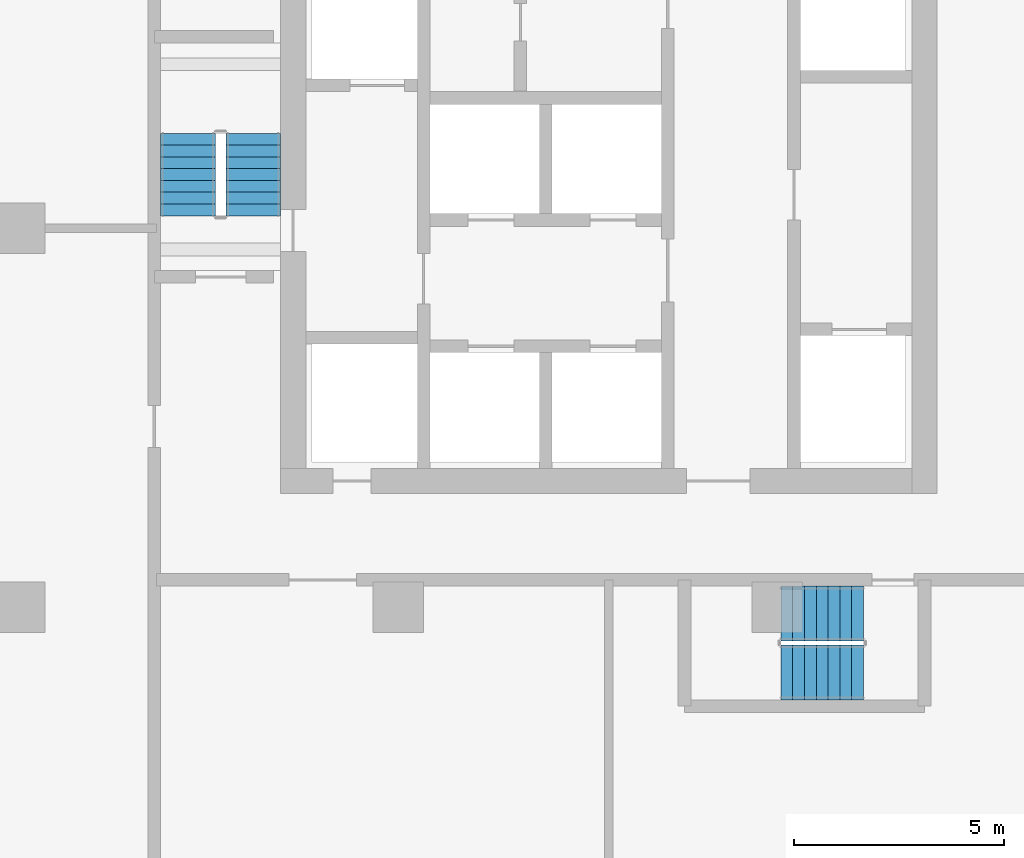
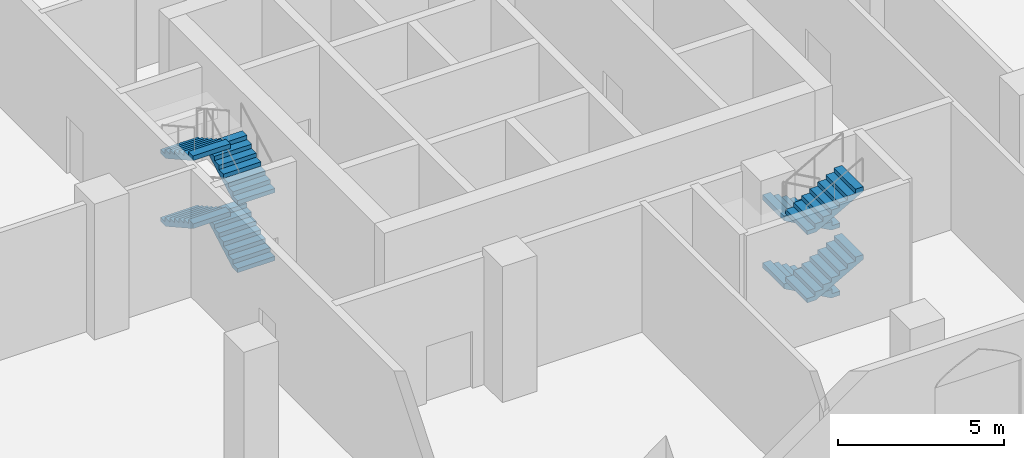
# One storey, part 18 of 31: 8 stair flights, 2 elements without a shape of their own.
"""IFC4 building model written with IfcOpenShell, lengths in metres."""

from ifc_helpers import new_model, si_unit, direction, frame, origin, place, context, subcontext, project, spatial, triangles, source, transform, mapped, material, type_object, element, aggregate, save


model = new_model("IFC4")

# Units and contexts
model_context = context("Model", 3, precision=1e-05, world=origin(), true_north=direction((0.0, 1.0)))
body_context = subcontext(model_context, "Body", "Model", "MODEL_VIEW")
ifc_project = project(units=[si_unit("LENGTHUNIT", "METRE"), si_unit("AREAUNIT", "SQUARE_METRE"), si_unit("VOLUMEUNIT", "CUBIC_METRE"), si_unit("PLANEANGLEUNIT", "RADIAN"), si_unit("MASSUNIT", "GRAM", prefix="KILO")], contexts=[model_context])

# Site, building, storey
site_placement = place(None, origin())
site = spatial("IfcSite", under=ifc_project, at=site_placement, CompositionType="ELEMENT")
building_placement = place(site_placement, origin())
building = spatial("IfcBuilding", under=site, at=building_placement, Name="Ogive Portal Towers", CompositionType="ELEMENT")
storey_placement = place(building_placement, frame((0.0, 0.0, 13.5)))
storey = spatial("IfcBuildingStorey", under=building, at=storey_placement, Name="L02", CompositionType="ELEMENT", Elevation=13.5)

# Stair, stair flights
ifc_material = material(Name="Concrete C40/50", Category="concrete")
stair_type = type_object("IfcStairType", Name="INT-STAIR", PredefinedType="HALF_TURN_STAIR", material=ifc_material)
stair_1_placement = place(storey_placement, origin())
stair_1 = element("IfcStair", 1, at=stair_1_placement, inside=storey, type_object=stair_type, Name="L02 Exit Stair ST-B1", PredefinedType="HALF_TURN_STAIR")
stair_flight_type = type_object("IfcStairFlightType", Name="INT-FLIGHT", PredefinedType="STRAIGHT", material=ifc_material)
shared_shape = source(origin(), body_context, "Body", "Tessellation", [
    triangles([(0.0, -0.650146484375, 0.0), (0.0, -0.376220703125, 0.0), (0.0, -0.192626953125, 0.0), (0.0, -0.081298828125, 0.0), (0.0, -0.024169921875, 0.0), (0.0, -0.003173828125, 0.0), (0.0, 0.0, 0.0), (0.0, 0.0029296875, 0.0), (0.0, 0.02392578125, 0.0), (0.0, 0.0810546875, 0.0), (0.0, 0.1923828125, 0.0), (0.0, 0.3759765625, 0.0), (0.0, 0.64990234375, 0.0), (0.0, -0.650146484375, 0.15625), (0.0, -0.376220703125, 0.15625), (0.0, -0.192626953125, 0.15625), (0.0, -0.081298828125, 0.15625), (0.0, -0.024169921875, 0.15625), (0.0, -0.003173828125, 0.15625), (0.0, 0.0, 0.15625), (0.0, 0.0029296875, 0.15625), (0.0, 0.02392578125, 0.15625), (0.0, 0.0810546875, 0.15625), (0.0, 0.1923828125, 0.15625), (0.0, 0.3759765625, 0.15625), (0.0, 0.64990234375, 0.15625), (0.280029296875, -0.650146484375, 0.15625), (0.280029296875, -0.376220703125, 0.15625), (0.280029296875, -0.192626953125, 0.15625), (0.280029296875, -0.081298828125, 0.15625), (0.280029296875, -0.024169921875, 0.15625), (0.280029296875, -0.003173828125, 0.15625), (0.280029296875, 0.0, 0.15625), (0.280029296875, 0.0029296875, 0.15625), (0.280029296875, 0.02392578125, 0.15625), (0.280029296875, 0.0810546875, 0.15625), (0.280029296875, 0.1923828125, 0.15625), (0.280029296875, 0.3759765625, 0.15625), (0.280029296875, 0.64990234375, 0.15625), (0.280029296875, -0.650146484375, 0.3125), (0.280029296875, -0.376220703125, 0.3125), (0.280029296875, -0.192626953125, 0.3125), (0.280029296875, -0.081298828125, 0.3125), (0.280029296875, -0.024169921875, 0.3125), (0.280029296875, -0.003173828125, 0.3125), (0.280029296875, 0.0, 0.3125), (0.280029296875, 0.0029296875, 0.3125), (0.280029296875, 0.02392578125, 0.3125), (0.280029296875, 0.0810546875, 0.3125), (0.280029296875, 0.1923828125, 0.3125), (0.280029296875, 0.3759765625, 0.3125), (0.280029296875, 0.64990234375, 0.3125), (0.56005859375, -0.650146484375, 0.3125), (0.56005859375, -0.376220703125, 0.3125), (0.56005859375, -0.192626953125, 0.3125), (0.56005859375, -0.081298828125, 0.3125), (0.56005859375, -0.024169921875, 0.3125), (0.56005859375, -0.003173828125, 0.3125), (0.56005859375, 0.0, 0.3125), (0.56005859375, 0.0029296875, 0.3125), (0.56005859375, 0.02392578125, 0.3125), (0.56005859375, 0.0810546875, 0.3125), (0.56005859375, 0.1923828125, 0.3125), (0.56005859375, 0.3759765625, 0.3125), (0.56005859375, 0.64990234375, 0.3125), (0.56005859375, -0.650146484375, 0.46875), (0.56005859375, -0.376220703125, 0.46875), (0.56005859375, -0.192626953125, 0.46875), (0.56005859375, -0.081298828125, 0.46875), (0.56005859375, -0.024169921875, 0.46875), (0.56005859375, -0.003173828125, 0.46875), (0.56005859375, 0.0, 0.46875), (0.56005859375, 0.0029296875, 0.46875), (0.56005859375, 0.02392578125, 0.46875), (0.56005859375, 0.0810546875, 0.46875), (0.56005859375, 0.1923828125, 0.46875), (0.56005859375, 0.3759765625, 0.46875), (0.56005859375, 0.64990234375, 0.46875), (0.840087890625, -0.650146484375, 0.46875), (0.840087890625, -0.376220703125, 0.46875), (0.840087890625, -0.192626953125, 0.46875), (0.840087890625, -0.081298828125, 0.46875), (0.840087890625, -0.024169921875, 0.46875), (0.840087890625, -0.003173828125, 0.46875), (0.840087890625, 0.0, 0.46875), (0.840087890625, 0.0029296875, 0.46875), (0.840087890625, 0.02392578125, 0.46875), (0.840087890625, 0.0810546875, 0.46875), (0.840087890625, 0.1923828125, 0.46875), (0.840087890625, 0.3759765625, 0.46875), (0.840087890625, 0.64990234375, 0.46875), (0.840087890625, -0.650146484375, 0.625), (0.840087890625, -0.376220703125, 0.625), (0.840087890625, -0.192626953125, 0.625), (0.840087890625, -0.081298828125, 0.625), (0.840087890625, -0.024169921875, 0.625), (0.840087890625, -0.003173828125, 0.625), (0.840087890625, 0.0, 0.625), (0.840087890625, 0.0029296875, 0.625), (0.840087890625, 0.02392578125, 0.625), (0.840087890625, 0.0810546875, 0.625), (0.840087890625, 0.1923828125, 0.625), (0.840087890625, 0.3759765625, 0.625), (0.840087890625, 0.64990234375, 0.625), (1.1201171875, -0.650146484375, 0.625), (1.1201171875, -0.376220703125, 0.625), (1.1201171875, -0.192626953125, 0.625), (1.1201171875, -0.081298828125, 0.625), (1.1201171875, -0.024169921875, 0.625), (1.1201171875, -0.003173828125, 0.625), (1.1201171875, 0.0, 0.625), (1.1201171875, 0.0029296875, 0.625), (1.1201171875, 0.02392578125, 0.625), (1.1201171875, 0.0810546875, 0.625), (1.1201171875, 0.1923828125, 0.625), (1.1201171875, 0.3759765625, 0.625), (1.1201171875, 0.64990234375, 0.625), (1.1201171875, -0.650146484375, 0.78125), (1.1201171875, -0.376220703125, 0.78125), (1.1201171875, -0.192626953125, 0.78125), (1.1201171875, -0.081298828125, 0.78125), (1.1201171875, -0.024169921875, 0.78125), (1.1201171875, -0.003173828125, 0.78125), (1.1201171875, 0.0, 0.78125), (1.1201171875, 0.0029296875, 0.78125), (1.1201171875, 0.02392578125, 0.78125), (1.1201171875, 0.0810546875, 0.78125), (1.1201171875, 0.1923828125, 0.78125), (1.1201171875, 0.3759765625, 0.78125), (1.1201171875, 0.64990234375, 0.78125), (1.39990234375, -0.650146484375, 0.78125), (1.39990234375, -0.376220703125, 0.78125), (1.39990234375, -0.192626953125, 0.78125), (1.39990234375, -0.081298828125, 0.78125), (1.39990234375, -0.024169921875, 0.78125), (1.39990234375, -0.003173828125, 0.78125), (1.39990234375, 0.0, 0.78125), (1.39990234375, 0.0029296875, 0.78125), (1.39990234375, 0.02392578125, 0.78125), (1.39990234375, 0.0810546875, 0.78125), (1.39990234375, 0.1923828125, 0.78125), (1.39990234375, 0.3759765625, 0.78125), (1.39990234375, 0.64990234375, 0.78125), (1.39990234375, -0.650146484375, 0.9375), (1.39990234375, -0.376220703125, 0.9375), (1.39990234375, -0.192626953125, 0.9375), (1.39990234375, -0.081298828125, 0.9375), (1.39990234375, -0.024169921875, 0.9375), (1.39990234375, -0.003173828125, 0.9375), (1.39990234375, 0.0, 0.9375), (1.39990234375, 0.0029296875, 0.9375), (1.39990234375, 0.02392578125, 0.9375), (1.39990234375, 0.0810546875, 0.9375), (1.39990234375, 0.1923828125, 0.9375), (1.39990234375, 0.3759765625, 0.9375), (1.39990234375, 0.64990234375, 0.9375), (1.679931640625, -0.650146484375, 0.9375), (1.679931640625, -0.376220703125, 0.9375), (1.679931640625, -0.192626953125, 0.9375), (1.679931640625, -0.081298828125, 0.9375), (1.679931640625, -0.024169921875, 0.9375), (1.679931640625, -0.003173828125, 0.9375), (1.679931640625, 0.0, 0.9375), (1.679931640625, 0.0029296875, 0.9375), (1.679931640625, 0.02392578125, 0.9375), (1.679931640625, 0.0810546875, 0.9375), (1.679931640625, 0.1923828125, 0.9375), (1.679931640625, 0.3759765625, 0.9375), (1.679931640625, 0.64990234375, 0.9375), (1.679931640625, -0.650146484375, 1.09375), (1.679931640625, -0.376220703125, 1.09375), (1.679931640625, -0.192626953125, 1.09375), (1.679931640625, -0.081298828125, 1.09375), (1.679931640625, -0.024169921875, 1.09375), (1.679931640625, -0.003173828125, 1.09375), (1.679931640625, 0.0, 1.09375), (1.679931640625, 0.0029296875, 1.09375), (1.679931640625, 0.02392578125, 1.09375), (1.679931640625, 0.0810546875, 1.09375), (1.679931640625, 0.1923828125, 1.09375), (1.679931640625, 0.3759765625, 1.09375), (1.679931640625, 0.64990234375, 1.09375), (1.9599609375, -0.650146484375, 1.09375), (1.9599609375, -0.376220703125, 1.09375), (1.9599609375, -0.192626953125, 1.09375), (1.9599609375, -0.081298828125, 1.09375), (1.9599609375, -0.024169921875, 1.09375), (1.9599609375, -0.003173828125, 1.09375), (1.9599609375, 0.0, 1.09375), (1.9599609375, 0.0029296875, 1.09375), (1.9599609375, 0.02392578125, 1.09375), (1.9599609375, 0.0810546875, 1.09375), (1.9599609375, 0.1923828125, 1.09375), (1.9599609375, 0.3759765625, 1.09375), (1.9599609375, 0.64990234375, 1.09375), (1.9599609375, -0.650146484375, 0.922119140625), (1.9599609375, -0.376220703125, 0.922119140625), (1.9599609375, -0.192626953125, 0.922119140625), (1.9599609375, -0.081298828125, 0.922119140625), (1.9599609375, -0.024169921875, 0.922119140625), (1.9599609375, -0.003173828125, 0.922119140625), (1.9599609375, 0.0, 0.922119140625), (1.9599609375, 0.0029296875, 0.922119140625), (1.9599609375, 0.02392578125, 0.922119140625), (1.9599609375, 0.0810546875, 0.922119140625), (1.9599609375, 0.1923828125, 0.922119140625), (1.9599609375, 0.3759765625, 0.922119140625), (1.9599609375, 0.64990234375, 0.922119140625), (0.3076171875, -0.650146484375, 0.0), (0.3076171875, -0.376220703125, 0.0), (0.3076171875, -0.192626953125, 0.0), (0.3076171875, -0.081298828125, 0.0), (0.3076171875, -0.024169921875, 0.0), (0.3076171875, -0.003173828125, 0.0), (0.3076171875, 0.0, 0.0), (0.3076171875, 0.0029296875, 0.0), (0.3076171875, 0.02392578125, 0.0), (0.3076171875, 0.0810546875, 0.0), (0.3076171875, 0.1923828125, 0.0), (0.3076171875, 0.3759765625, 0.0), (0.3076171875, 0.64990234375, 0.0)], [[1, 14, 15], [1, 15, 2], [2, 15, 16], [2, 16, 3], [3, 16, 17], [3, 17, 4], [4, 17, 18], [4, 18, 5], [5, 18, 19], [5, 19, 6], [6, 19, 20], [6, 20, 7], [7, 20, 21], [7, 21, 8], [8, 21, 22], [8, 22, 9], [9, 22, 23], [9, 23, 10], [10, 23, 24], [10, 24, 11], [11, 24, 25], [11, 25, 12], [12, 25, 26], [12, 26, 13], [14, 27, 28], [14, 28, 15], [15, 28, 29], [15, 29, 16], [16, 29, 30], [16, 30, 17], [17, 30, 31], [17, 31, 18], [18, 31, 32], [18, 32, 19], [19, 32, 33], [19, 33, 20], [20, 33, 34], [20, 34, 21], [21, 34, 35], [21, 35, 22], [22, 35, 36], [22, 36, 23], [23, 36, 37], [23, 37, 24], [24, 37, 38], [24, 38, 25], [25, 38, 39], [25, 39, 26], [27, 40, 41], [27, 41, 28], [28, 41, 42], [28, 42, 29], [29, 42, 43], [29, 43, 30], [30, 43, 44], [30, 44, 31], [31, 44, 45], [31, 45, 32], [32, 45, 46], [32, 46, 33], [33, 46, 47], [33, 47, 34], [34, 47, 48], [34, 48, 35], [35, 48, 49], [35, 49, 36], [36, 49, 50], [36, 50, 37], [37, 50, 51], [37, 51, 38], [38, 51, 52], [38, 52, 39], [40, 53, 54], [40, 54, 41], [41, 54, 55], [41, 55, 42], [42, 55, 56], [42, 56, 43], [43, 56, 57], [43, 57, 44], [44, 57, 58], [44, 58, 45], [45, 58, 59], [45, 59, 46], [46, 59, 60], [46, 60, 47], [47, 60, 61], [47, 61, 48], [48, 61, 62], [48, 62, 49], [49, 62, 63], [49, 63, 50], [50, 63, 64], [50, 64, 51], [51, 64, 65], [51, 65, 52], [53, 66, 67], [53, 67, 54], [54, 67, 68], [54, 68, 55], [55, 68, 69], [55, 69, 56], [56, 69, 70], [56, 70, 57], [57, 70, 71], [57, 71, 58], [58, 71, 72], [58, 72, 59], [59, 72, 73], [59, 73, 60], [60, 73, 74], [60, 74, 61], [61, 74, 75], [61, 75, 62], [62, 75, 76], [62, 76, 63], [63, 76, 77], [63, 77, 64], [64, 77, 78], [64, 78, 65], [66, 79, 80], [66, 80, 67], [67, 80, 81], [67, 81, 68], [68, 81, 82], [68, 82, 69], [69, 82, 83], [69, 83, 70], [70, 83, 84], [70, 84, 71], [71, 84, 85], [71, 85, 72], [72, 85, 86], [72, 86, 73], [73, 86, 87], [73, 87, 74], [74, 87, 88], [74, 88, 75], [75, 88, 89], [75, 89, 76], [76, 89, 90], [76, 90, 77], [77, 90, 91], [77, 91, 78], [79, 92, 93], [79, 93, 80], [80, 93, 94], [80, 94, 81], [81, 94, 95], [81, 95, 82], [82, 95, 96], [82, 96, 83], [83, 96, 97], [83, 97, 84], [84, 97, 98], [84, 98, 85], [85, 98, 99], [85, 99, 86], [86, 99, 100], [86, 100, 87], [87, 100, 101], [87, 101, 88], [88, 101, 102], [88, 102, 89], [89, 102, 103], [89, 103, 90], [90, 103, 104], [90, 104, 91], [92, 105, 106], [92, 106, 93], [93, 106, 107], [93, 107, 94], [94, 107, 108], [94, 108, 95], [95, 108, 109], [95, 109, 96], [96, 109, 110], [96, 110, 97], [97, 110, 111], [97, 111, 98], [98, 111, 112], [98, 112, 99], [99, 112, 113], [99, 113, 100], [100, 113, 114], [100, 114, 101], [101, 114, 115], [101, 115, 102], [102, 115, 116], [102, 116, 103], [103, 116, 117], [103, 117, 104], [105, 118, 119], [105, 119, 106], [106, 119, 120], [106, 120, 107], [107, 120, 121], [107, 121, 108], [108, 121, 122], [108, 122, 109], [109, 122, 123], [109, 123, 110], [110, 123, 124], [110, 124, 111], [111, 124, 125], [111, 125, 112], [112, 125, 126], [112, 126, 113], [113, 126, 127], [113, 127, 114], [114, 127, 128], [114, 128, 115], [115, 128, 129], [115, 129, 116], [116, 129, 130], [116, 130, 117], [118, 131, 132], [118, 132, 119], [119, 132, 133], [119, 133, 120], [120, 133, 134], [120, 134, 121], [121, 134, 135], [121, 135, 122], [122, 135, 136], [122, 136, 123], [123, 136, 137], [123, 137, 124], [124, 137, 138], [124, 138, 125], [125, 138, 139], [125, 139, 126], [126, 139, 140], [126, 140, 127], [127, 140, 141], [127, 141, 128], [128, 141, 142], [128, 142, 129], [129, 142, 143], [129, 143, 130], [131, 144, 145], [131, 145, 132], [132, 145, 146], [132, 146, 133], [133, 146, 147], [133, 147, 134], [134, 147, 148], [134, 148, 135], [135, 148, 149], [135, 149, 136], [136, 149, 150], [136, 150, 137], [137, 150, 151], [137, 151, 138], [138, 151, 152], [138, 152, 139], [139, 152, 153], [139, 153, 140], [140, 153, 154], [140, 154, 141], [141, 154, 155], [141, 155, 142], [142, 155, 156], [142, 156, 143], [144, 157, 158], [144, 158, 145], [145, 158, 159], [145, 159, 146], [146, 159, 160], [146, 160, 147], [147, 160, 161], [147, 161, 148], [148, 161, 162], [148, 162, 149], [149, 162, 163], [149, 163, 150], [150, 163, 164], [150, 164, 151], [151, 164, 165], [151, 165, 152], [152, 165, 166], [152, 166, 153], [153, 166, 167], [153, 167, 154], [154, 167, 168], [154, 168, 155], [155, 168, 169], [155, 169, 156], [157, 170, 171], [157, 171, 158], [158, 171, 172], [158, 172, 159], [159, 172, 173], [159, 173, 160], [160, 173, 174], [160, 174, 161], [161, 174, 175], [161, 175, 162], [162, 175, 176], [162, 176, 163], [163, 176, 177], [163, 177, 164], [164, 177, 178], [164, 178, 165], [165, 178, 179], [165, 179, 166], [166, 179, 180], [166, 180, 167], [167, 180, 181], [167, 181, 168], [168, 181, 182], [168, 182, 169], [170, 183, 184], [170, 184, 171], [171, 184, 185], [171, 185, 172], [172, 185, 186], [172, 186, 173], [173, 186, 187], [173, 187, 174], [174, 187, 188], [174, 188, 175], [175, 188, 189], [175, 189, 176], [176, 189, 190], [176, 190, 177], [177, 190, 191], [177, 191, 178], [178, 191, 192], [178, 192, 179], [179, 192, 193], [179, 193, 180], [180, 193, 194], [180, 194, 181], [181, 194, 195], [181, 195, 182], [183, 196, 197], [183, 197, 184], [184, 197, 198], [184, 198, 185], [185, 198, 199], [185, 199, 186], [186, 199, 200], [186, 200, 187], [187, 200, 201], [187, 201, 188], [188, 201, 202], [188, 202, 189], [189, 202, 203], [189, 203, 190], [190, 203, 204], [190, 204, 191], [191, 204, 205], [191, 205, 192], [192, 205, 206], [192, 206, 193], [193, 206, 207], [193, 207, 194], [194, 207, 208], [194, 208, 195], [196, 209, 210], [196, 210, 197], [197, 210, 211], [197, 211, 198], [198, 211, 212], [198, 212, 199], [199, 212, 213], [199, 213, 200], [200, 213, 214], [200, 214, 201], [201, 214, 215], [201, 215, 202], [202, 215, 216], [202, 216, 203], [203, 216, 217], [203, 217, 204], [204, 217, 218], [204, 218, 205], [205, 218, 219], [205, 219, 206], [206, 219, 220], [206, 220, 207], [207, 220, 221], [207, 221, 208], [209, 1, 2], [209, 2, 210], [210, 2, 3], [210, 3, 211], [211, 3, 4], [211, 4, 212], [212, 4, 5], [212, 5, 213], [213, 5, 6], [213, 6, 214], [214, 6, 7], [214, 7, 215], [215, 7, 8], [215, 8, 216], [216, 8, 9], [216, 9, 217], [217, 9, 10], [217, 10, 218], [218, 10, 11], [218, 11, 219], [219, 11, 12], [219, 12, 220], [220, 12, 13], [220, 13, 221], [1, 209, 196], [13, 208, 221], [196, 183, 170], [208, 182, 195], [196, 170, 157], [208, 169, 182], [196, 157, 144], [208, 156, 169], [196, 144, 131], [208, 143, 156], [131, 118, 105], [143, 117, 130], [196, 131, 105], [208, 117, 143], [105, 92, 79], [117, 91, 104], [196, 105, 79], [208, 91, 117], [79, 66, 53], [91, 65, 78], [196, 79, 53], [208, 65, 91], [53, 40, 27], [65, 39, 52], [196, 53, 27], [208, 39, 65], [1, 196, 27], [13, 39, 208], [27, 14, 1], [39, 13, 26]], closed=True),
])
stair_flight_1_placement = place(storey_placement, frame((128.050048828125, 30.800048828125, 0.0), z_axis=(0.0, 0.0, 1.0), x_axis=(0.0, 1.0, 0.0)))
stair_flight_1 = element("IfcStairFlight", 2, at=stair_flight_1_placement, type_object=stair_flight_type, Name="ST-B1 flight 1", NumberOfRisers=8, NumberOfTreads=7, PredefinedType="STRAIGHT", RiserHeight=0.15625, TreadLength=0.28, context=body_context, shape_type="MappedRepresentation", body=[
    mapped(shared_shape, transform((0.0, 0.0, 0.0), scale=1.0)),
])
stair_flight_2_placement = place(storey_placement, frame((126.5, 32.760009765625, 1.25), z_axis=(0.0, 0.0, 1.0), x_axis=(0.0, -1.0, 0.0)))
stair_flight_2 = element("IfcStairFlight", 3, at=stair_flight_2_placement, type_object=stair_flight_type, Name="ST-B1 flight 2", NumberOfRisers=8, NumberOfTreads=7, PredefinedType="STRAIGHT", RiserHeight=0.15625, TreadLength=0.28, context=body_context, shape_type="MappedRepresentation", body=[
    mapped(shared_shape, transform((0.0, 0.0, 0.0), scale=1.0)),
])
stair_flight_3_placement = place(storey_placement, frame((128.050048828125, 30.800048828125, 2.5), z_axis=(0.0, 0.0, 1.0), x_axis=(0.0, 1.0, 0.0)))
stair_flight_3 = element("IfcStairFlight", 4, at=stair_flight_3_placement, type_object=stair_flight_type, Name="ST-B1 flight 3", NumberOfRisers=8, NumberOfTreads=7, PredefinedType="STRAIGHT", RiserHeight=0.15625, TreadLength=0.28, context=body_context, shape_type="MappedRepresentation", body=[
    mapped(shared_shape, transform((0.0, 0.0, 0.0), scale=1.0)),
])
stair_flight_4_placement = place(storey_placement, frame((126.5, 32.760009765625, 3.75), z_axis=(0.0, 0.0, 1.0), x_axis=(0.0, -1.0, 0.0)))
stair_flight_4 = element("IfcStairFlight", 5, at=stair_flight_4_placement, type_object=stair_flight_type, Name="ST-B1 flight 4", NumberOfRisers=8, NumberOfTreads=7, PredefinedType="STRAIGHT", RiserHeight=0.15625, TreadLength=0.28, context=body_context, shape_type="MappedRepresentation", body=[
    mapped(shared_shape, transform((0.0, 0.0, 0.0), scale=1.0)),
])
aggregate(stair_1, [stair_flight_1, stair_flight_2, stair_flight_3, stair_flight_4])

stair_2_placement = place(storey_placement, origin())
stair_2 = element("IfcStair", 6, at=stair_2_placement, inside=storey, type_object=stair_type, Name="L02 Exit Stair ST-B2", PredefinedType="HALF_TURN_STAIR")
stair_flight_5_placement = place(storey_placement, frame((142.550048828125, 21.35009765625, 0.0), z_axis=(0.0, 0.0, 1.0), x_axis=(-1.0, 0.0, 0.0)))
stair_flight_5 = element("IfcStairFlight", 7, at=stair_flight_5_placement, type_object=stair_flight_type, Name="ST-B2 flight 1", NumberOfRisers=8, NumberOfTreads=7, PredefinedType="STRAIGHT", RiserHeight=0.15625, TreadLength=0.28, context=body_context, shape_type="MappedRepresentation", body=[
    mapped(shared_shape, transform((0.0, 0.0, 0.0), scale=1.0)),
])
stair_flight_6_placement = place(storey_placement, frame((140.590087890625, 19.949951171875, 1.25), z_axis=(0.0, 0.0, 1.0), x_axis=(1.0, 0.0, 0.0)))
stair_flight_6 = element("IfcStairFlight", 8, at=stair_flight_6_placement, type_object=stair_flight_type, Name="ST-B2 flight 2", NumberOfRisers=8, NumberOfTreads=7, PredefinedType="STRAIGHT", RiserHeight=0.15625, TreadLength=0.28, context=body_context, shape_type="MappedRepresentation", body=[
    mapped(shared_shape, transform((0.0, 0.0, 0.0), scale=1.0)),
])
stair_flight_7_placement = place(storey_placement, frame((142.550048828125, 21.35009765625, 2.5), z_axis=(0.0, 0.0, 1.0), x_axis=(-1.0, 0.0, 0.0)))
stair_flight_7 = element("IfcStairFlight", 9, at=stair_flight_7_placement, type_object=stair_flight_type, Name="ST-B2 flight 3", NumberOfRisers=8, NumberOfTreads=7, PredefinedType="STRAIGHT", RiserHeight=0.15625, TreadLength=0.28, context=body_context, shape_type="MappedRepresentation", body=[
    mapped(shared_shape, transform((0.0, 0.0, 0.0), scale=1.0)),
])
stair_flight_8_placement = place(storey_placement, frame((140.590087890625, 19.949951171875, 3.75), z_axis=(0.0, 0.0, 1.0), x_axis=(1.0, 0.0, 0.0)))
stair_flight_8 = element("IfcStairFlight", 10, at=stair_flight_8_placement, type_object=stair_flight_type, Name="ST-B2 flight 4", NumberOfRisers=8, NumberOfTreads=7, PredefinedType="STRAIGHT", RiserHeight=0.15625, TreadLength=0.28, context=body_context, shape_type="MappedRepresentation", body=[
    mapped(shared_shape, transform((0.0, 0.0, 0.0), scale=1.0)),
])
aggregate(stair_2, [stair_flight_5, stair_flight_6, stair_flight_7, stair_flight_8])

save(model, "model.ifc")
